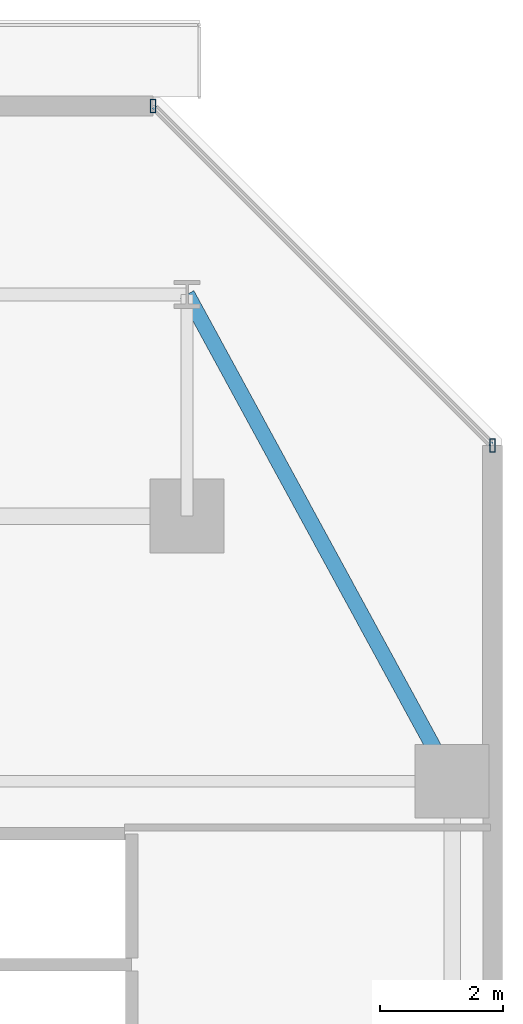
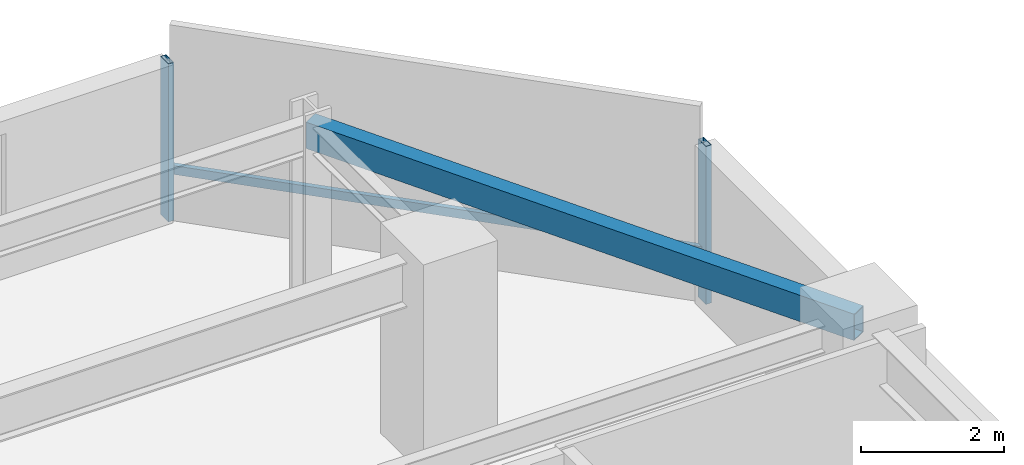
# One storey, part 14 of 29: 3 members, 1 beam, 1 element without a shape of its own.
"""IFC4 building model written with IfcOpenShell, lengths in metres."""

from ifc_helpers import new_model, si_unit, direction, frame, origin, origin_2d, place, context, subcontext, project, spatial, hollow_rectangle, extrude, material, material_profile, profile_set, type_object, element, aggregate, save


model = new_model("IFC4")

# Units and contexts
model_context = context("Model", 3, precision=1e-05, world=origin(), true_north=direction((0.0, 1.0)))
body_context = subcontext(model_context, "Body", "Model", "MODEL_VIEW")
ifc_project = project(units=[si_unit("LENGTHUNIT", "METRE"), si_unit("AREAUNIT", "SQUARE_METRE"), si_unit("VOLUMEUNIT", "CUBIC_METRE"), si_unit("PLANEANGLEUNIT", "RADIAN"), si_unit("MASSUNIT", "GRAM", prefix="KILO")], contexts=[model_context])

# Site, building, storey
site_placement = place(None, origin())
site = spatial("IfcSite", under=ifc_project, at=site_placement, CompositionType="ELEMENT")
building_placement = place(site_placement, origin())
building = spatial("IfcBuilding", under=site, at=building_placement, Name="Thornwick Lancets Civic Towers", CompositionType="ELEMENT")
storey_placement = place(building_placement, frame((0.0, 0.0, 83.699951171875)))
storey = spatial("IfcBuildingStorey", under=building, at=storey_placement, Name="L21", CompositionType="ELEMENT", Elevation=83.699951171875)

# Beam
ifc_material_1 = material(Name="Steel S355JR", Category="steel")
ifc_material_profile_1 = material_profile(ifc_material_1, hollow_rectangle(XDim=0.25, YDim=0.449951171875, WallThickness=0.01611328125, at=origin_2d()), Name="RHS 450x250x16")
ifc_profile_set_1 = profile_set([ifc_material_profile_1], Name="Steel S355JR")
beam_type = type_object("IfcBeamType", Name="BM_RING_RHS450", PredefinedType="BEAM", material=ifc_profile_set_1)
beam_placement = place(storey_placement, frame((105.800048828125, 40.0, 3.135009765625), z_axis=(-0.478081722712, 0.878315357038, 0.0), x_axis=(-0.878315357038, -0.478081722712, 0.0)))
element("IfcBeam", 1, at=beam_placement, inside=storey, type_object=beam_type, Name="BM-CHAMF-L21-B-C0", PredefinedType="BEAM", context=body_context, shape_type="SweptSolid", body=[
    extrude(hollow_rectangle(XDim=0.25, YDim=0.449951171875, WallThickness=0.01611328125, at=origin_2d()), origin(), (0.0, 0.0, 1.0), 8.994384765625),
])

# Curtain wall, members
ifc_material_2 = material(Name="Low-zone chamfered-corner unitised glass curtain wall", Category="glass")
curtain_wall_type = type_object("IfcCurtainWallType", Name="CW_SYS_03", PredefinedType="NOTDEFINED", material=ifc_material_2)
curtain_wall_placement = place(storey_placement, origin())
curtain_wall = element("IfcCurtainWall", 2, at=curtain_wall_placement, inside=storey, type_object=curtain_wall_type, Name="L21 Curtain Wall CW-L21-B-E3", PredefinedType="NOTDEFINED")
ifc_material_3 = material(Name="Thermally broken bronze aluminium S355", Category="steel")
ifc_material_profile_2 = material_profile(ifc_material_3, hollow_rectangle(XDim=0.090087890625, YDim=0.219970703125, WallThickness=0.00634765625, at=origin_2d()), Name="RHS 220x90x6.3")
ifc_profile_set_2 = profile_set([ifc_material_profile_2], Name="Thermally broken bronze aluminium S355")
member_type_1 = type_object("IfcMemberType", Name="CW_MUL_220", PredefinedType="MULLION", material=ifc_profile_set_2)
member_1_placement = place(storey_placement, frame((106.455078125, 45.4482421875, 0.0), z_axis=(0.0, 0.0, 1.0), x_axis=(1.0, 0.0, 0.0)))
member_1 = element("IfcMember", 3, at=member_1_placement, type_object=member_type_1, Name="CW-L21-B-E3 Mullion 0", PredefinedType="MULLION", context=body_context, shape_type="SweptSolid", body=[
    extrude(hollow_rectangle(XDim=0.090087890625, YDim=0.219970703125, WallThickness=0.00634765625, at=origin_2d()), origin(), (0.0, 0.0, 1.0), 2.699951171875),
])
member_2_placement = place(storey_placement, frame((100.9482421875, 50.955078125, 0.0), z_axis=(0.0, 0.0, 1.0), x_axis=(1.0, 0.0, 0.0)))
member_2 = element("IfcMember", 4, at=member_2_placement, type_object=member_type_1, Name="CW-L21-B-E3 Mullion 1", PredefinedType="MULLION", context=body_context, shape_type="SweptSolid", body=[
    extrude(hollow_rectangle(XDim=0.090087890625, YDim=0.219970703125, WallThickness=0.00634765625, at=origin_2d()), origin(), (0.0, 0.0, 1.0), 2.699951171875),
])
ifc_material_profile_3 = material_profile(ifc_material_3, hollow_rectangle(XDim=0.074951171875, YDim=0.14990234375, WallThickness=0.0048828125, at=origin_2d()), Name="RHS 150x75x5")
ifc_profile_set_3 = profile_set([ifc_material_profile_3], Name="Thermally broken bronze aluminium S355")
member_type_2 = type_object("IfcMemberType", Name="CW_TRN_150", PredefinedType="USERDEFINED", material=ifc_profile_set_3)
member_3_placement = place(storey_placement, frame((106.44091796875, 45.46240234375, 0.85009765625), z_axis=(-0.707106781187, 0.707106781187, 0.0), x_axis=(-0.707106781187, -0.707106781187, 0.0)))
member_3 = element("IfcMember", 5, at=member_3_placement, type_object=member_type_2, Name="CW-L21-B-E3 Transom 0", ObjectType="TRANSOM", PredefinedType="USERDEFINED", context=body_context, shape_type="SweptSolid", body=[
    extrude(hollow_rectangle(XDim=0.074951171875, YDim=0.14990234375, WallThickness=0.0048828125, at=origin_2d()), origin(), (0.0, 0.0, 1.0), 7.747802734375),
])
aggregate(curtain_wall, [member_1, member_2, member_3])

save(model, "model.ifc")
